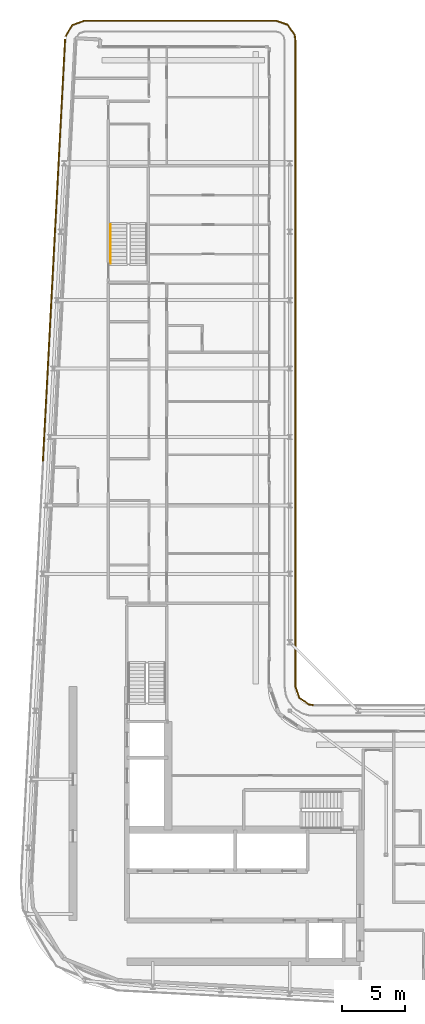
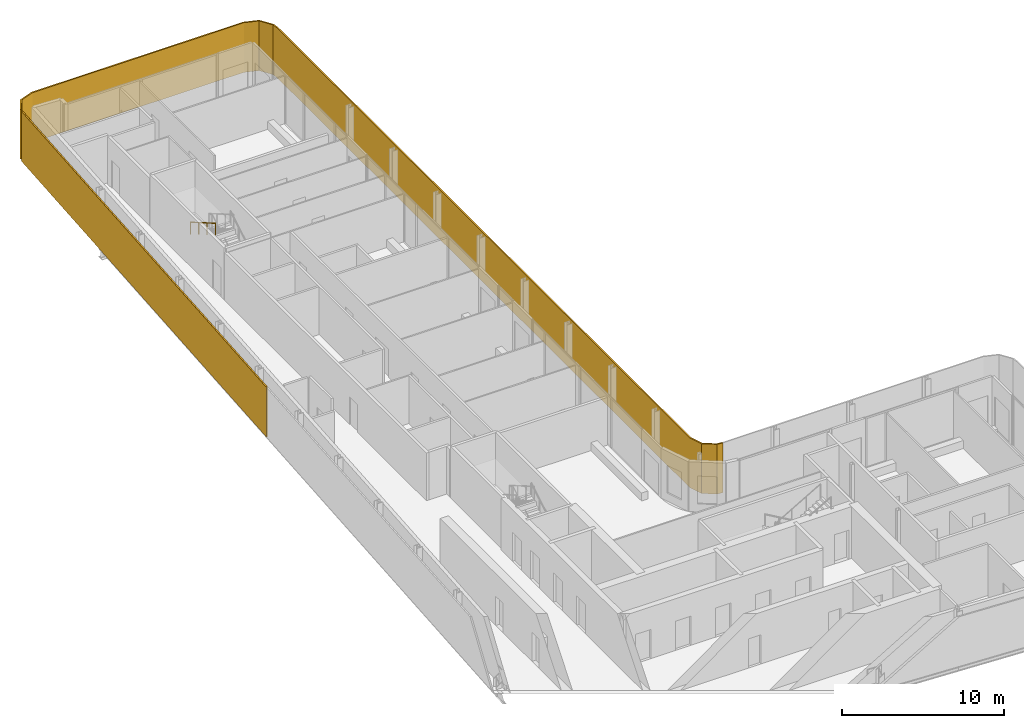
# One storey, part 19 of 21: 2 shading devices, 1 railing.
"""IFC4 building model written with IfcOpenShell, lengths in metres."""

from ifc_helpers import new_model, si_unit, direction, frame, origin, origin_2d, place, context, subcontext, project, spatial, polyline, rectangle, circle, outline, extrude, material, layer, layer_set, type_object, element, save


model = new_model("IFC4")

# Units and contexts
model_context = context("Model", 3, precision=1e-05, world=origin(), true_north=direction((0.0, 1.0)))
body_context = subcontext(model_context, "Body", "Model", "MODEL_VIEW")
ifc_project = project(units=[si_unit("LENGTHUNIT", "METRE"), si_unit("AREAUNIT", "SQUARE_METRE"), si_unit("VOLUMEUNIT", "CUBIC_METRE"), si_unit("PLANEANGLEUNIT", "RADIAN"), si_unit("MASSUNIT", "GRAM", prefix="KILO")], contexts=[model_context])

# Site, building, storey
site_placement = place(None, origin())
site = spatial("IfcSite", under=ifc_project, at=site_placement, CompositionType="ELEMENT")
building_placement = place(site_placement, origin())
building = spatial("IfcBuilding", under=site, at=building_placement, Name="Kheshtan School and Residences Tower", CompositionType="ELEMENT")
storey_placement = place(building_placement, frame((0.0, 0.0, 321.5)))
storey = spatial("IfcBuildingStorey", under=building, at=storey_placement, Name="L76", CompositionType="ELEMENT", Elevation=321.5)

# Shading devices
ifc_material_1 = material(Name="Terracotta baguette, extruded ceramic", Category="masonry")
ifc_layer_1 = layer(ifc_material_1, 0.10009765625)
ifc_layer_set_1 = layer_set([ifc_layer_1], Name="Ledge screen, terracotta baguettes")
shading_device_type_1 = type_object("IfcShadingDeviceType", Name="Ledge screen, terracotta baguettes", PredefinedType="USERDEFINED", material=ifc_layer_set_1)
shading_device_1_placement = place(storey_placement, frame((28.9990234375, 81.93408203125, 0.0), z_axis=(0.0, 0.0, 1.0), x_axis=(0.052562536748, 0.998617634398, 0.0)))
element("IfcShadingDevice", 1, at=shading_device_1_placement, inside=storey, type_object=shading_device_type_1, Name="Screen L76 5", ObjectType="BAGUETTE", PredefinedType="USERDEFINED", context=body_context, shape_type="SweptSolid", body=[
    extrude(rectangle(XDim=33.341064453125, YDim=0.10009765625, at=origin_2d()), origin(), (0.0, 0.0, 1.0), 3.75),
])
ifc_material_2 = material(Name="Terracotta lattice, extruded ceramic", Category="masonry")
ifc_layer_2 = layer(ifc_material_2, 0.10009765625)
ifc_layer_set_2 = layer_set([ifc_layer_2], Name="Loggia screen, terracotta lattice")
shading_device_type_2 = type_object("IfcShadingDeviceType", Name="Loggia screen, terracotta lattice", PredefinedType="USERDEFINED", material=ifc_layer_set_2)
shading_device_2_placement = place(storey_placement, origin())
element("IfcShadingDevice", 2, at=shading_device_2_placement, inside=storey, type_object=shading_device_type_2, Name="Screen L76 1", ObjectType="SCREEN", PredefinedType="USERDEFINED", context=body_context, shape_type="SweptSolid", body=[
    extrude(outline(polyline([(29.949951171875, 98.783935546875), (30.468017578125, 99.656982421875), (31.423095703125, 100.0), (46.5, 100.0), (47.4130859375, 99.68994140625), (47.948974609375, 98.887939453125), (48.0, 98.5), (48.0, 47.5), (48.31005859375, 46.5869140625), (49.112060546875, 46.051025390625), (49.5, 46.0), (49.512939453125, 46.09912109375), (49.14794921875, 46.14697265625), (48.39404296875, 46.65087890625), (48.10009765625, 47.51708984375), (48.10009765625, 98.507080078125), (48.044921875, 98.924072265625), (47.47705078125, 99.77392578125), (46.51708984375, 100.10009765625), (31.406005859375, 100.10009765625), (30.39990234375, 99.739013671875), (29.864013671875, 98.8349609375), (29.949951171875, 98.783935546875)])), origin(), (0.0, 0.0, 1.0), 3.75),
])

# Railing
ifc_material_3 = material(Name="Stainless steel handrail", Category="steel")
railing_type = type_object("IfcRailingType", Name="Stair handrail 900", PredefinedType="HANDRAIL", material=ifc_material_3)
railing_placement = place(storey_placement, frame((33.449951171875, 83.97998046875, 2.112548828125)))
element("IfcRailing", 3, at=railing_placement, inside=storey, type_object=railing_type, Name="L76 ST3 stair handrail 2", PredefinedType="HANDRAIL", context=body_context, shape_type="SweptSolid", body=[
    extrude(circle(Radius=0.02392578125, at=origin_2d()), frame((0.0, 0.0, 0.8759765625), z_axis=(0.0, -0.864920483161, 0.501908913857), x_axis=(1.0, 0.0, 0.0)), (0.0, 0.0, 1.0), 3.56103515625),
    extrude(circle(Radius=0.02099609375, at=origin_2d()), origin(), (0.0, 0.0, 1.0), 0.851806640625),
    extrude(circle(Radius=0.02099609375, at=origin_2d()), frame((0.0, -1.026611328125, 0.595703125)), (0.0, 0.0, 1.0), 0.851806640625),
    extrude(circle(Radius=0.02099609375, at=origin_2d()), frame((0.0, -2.053466796875, 1.191650390625)), (0.0, 0.0, 1.0), 0.851806640625),
    extrude(circle(Radius=0.02099609375, at=origin_2d()), frame((0.0, -3.080078125, 1.787353515625)), (0.0, 0.0, 1.0), 0.851806640625),
])

save(model, "model.ifc")
